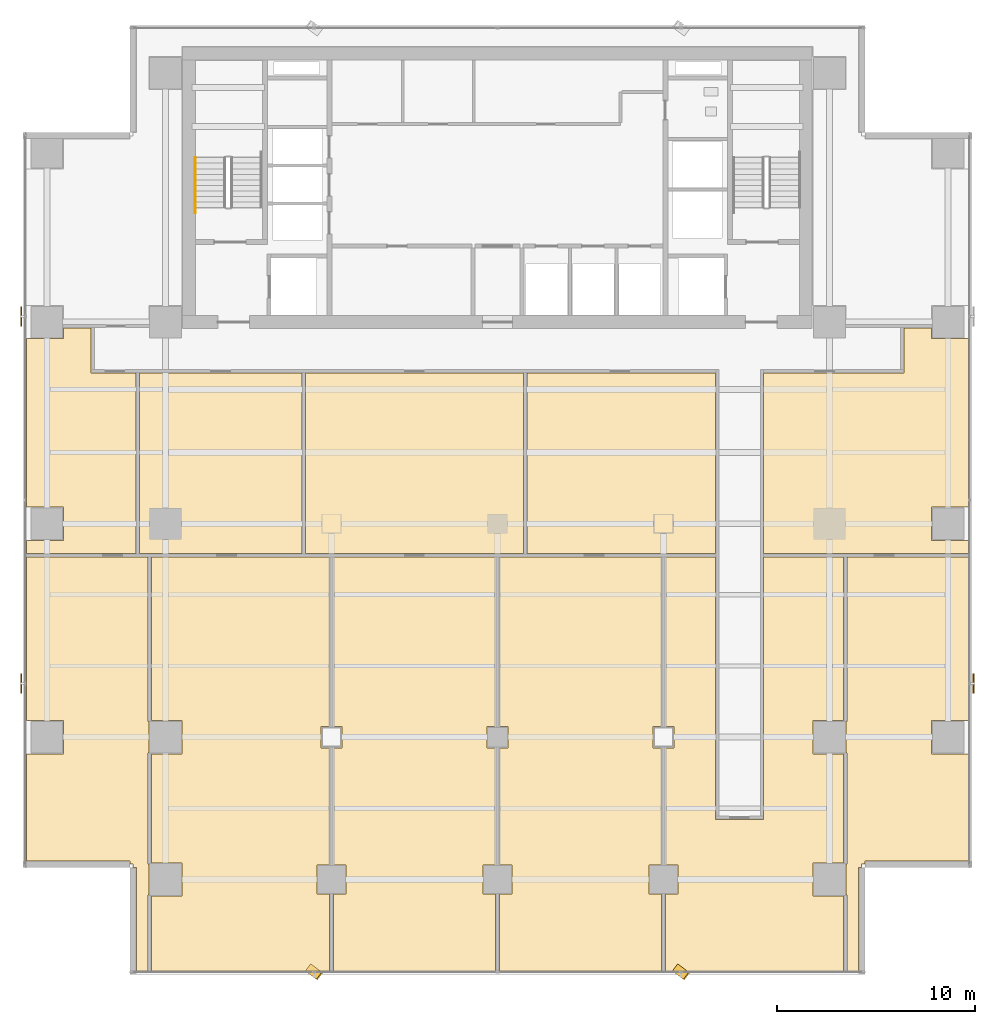
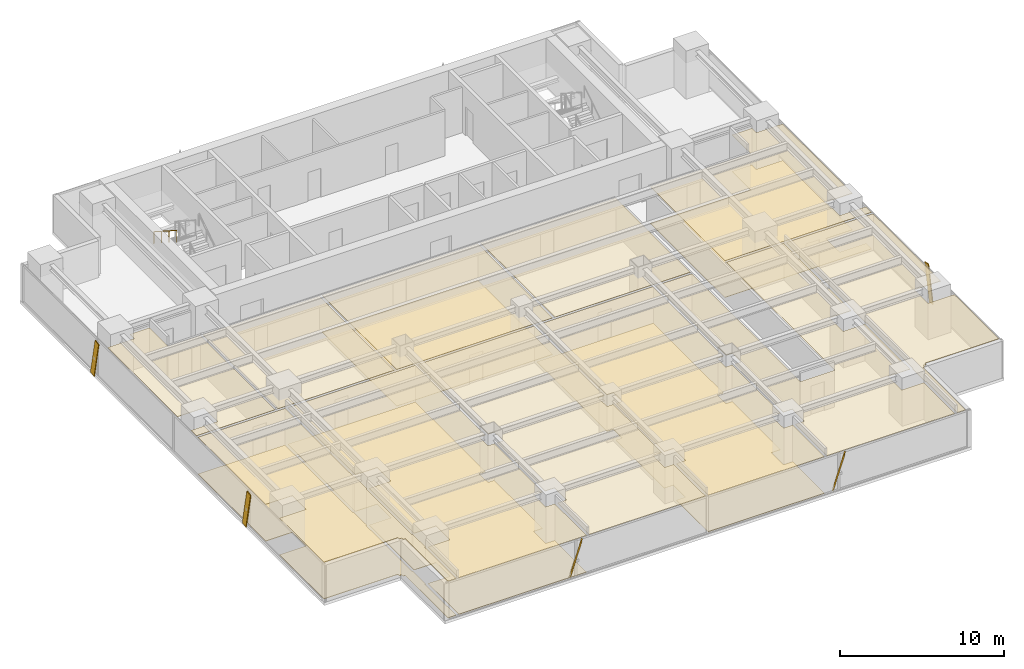
# One storey, part 24 of 28: 16 coverings, 5 shading devices, 1 railing.
"""IFC4 building model written with IfcOpenShell, lengths in metres."""

import ifcopenshell
import ifcopenshell.guid

model = None  # the IFC model being written
_history = None  # IfcOwnerHistory: only IFC2X3 demands one
_inside = {}  # id of a spatial element -> (the spatial element, [elements in it])
_under = {}  # id of a project, library or spatial element -> (it, [spatial elements below it])
_declared = {}  # id of a project -> (the project, [libraries it declares])
_typed = {}  # id of a type object -> (the type object, [elements of that type])
_made_of = {}  # id of a material, layer set ... -> (it, [elements and type objects made of it])


def new_model(schema):
    """Start an empty IFC model of exactly this schema.

    Asked for "IFC4X3", IfcOpenShell would pick the latest addendum, in which some entities
    have other attributes; the version numbers below select the first issue.
    IFC2X3 requires an IfcOwnerHistory on every rooted entity: one is made here for all.
    """
    global model, _history
    if schema == "IFC4X3":
        model = ifcopenshell.file(schema_version=(4, 3, 0, 0))
    else:
        model = ifcopenshell.file(schema=schema)
    _inside.clear()
    _under.clear()
    _declared.clear()
    _typed.clear()
    _made_of.clear()
    _history = None
    if model.schema == "IFC2X3":
        org = make("IfcOrganization", Name="unknown")
        user = make(
            "IfcPersonAndOrganization",
            ThePerson=make("IfcPerson", FamilyName="unknown"),
            TheOrganization=org,
        )
        app = make(
            "IfcApplication",
            ApplicationDeveloper=org,
            Version="unknown",
            ApplicationFullName="unknown",
            ApplicationIdentifier="unknown",
        )
        _history = make(
            "IfcOwnerHistory",
            OwningUser=user,
            OwningApplication=app,
            ChangeAction="ADDED",
            CreationDate=0,
        )
    return model


def make(cls, **values):
    """One entity of the class cls with the attributes given. An attribute that is None is left unset."""
    return model.create_entity(
        cls, **{name: value for name, value in values.items() if value is not None}
    )


def rooted(cls, **values):
    """An entity with a GlobalId (a new one), such as an element, a storey or a relation."""
    return make(cls, GlobalId=ifcopenshell.guid.new(), OwnerHistory=_history, **values)


def si_unit(unit_type, name, prefix=None):
    """IfcSIUnit, for example si_unit("LENGTHUNIT", "METRE", prefix="MILLI")."""
    return make("IfcSIUnit", UnitType=unit_type, Prefix=prefix, Name=name)


def assignment(units):
    """IfcUnitAssignment: the units of a project."""
    return None if units is None else make("IfcUnitAssignment", Units=units)


def point(xyz):
    """IfcCartesianPoint."""
    return None if xyz is None else make("IfcCartesianPoint", Coordinates=xyz)


def direction(xyz):
    """IfcDirection."""
    return None if xyz is None else make("IfcDirection", DirectionRatios=xyz)


def frame(location, z_axis=None, x_axis=None):
    """IfcAxis2Placement3D, a coordinate frame: its origin and axes. An axis left out is left unset."""
    return make(
        "IfcAxis2Placement3D",
        Location=point(location),
        Axis=direction(z_axis),
        RefDirection=direction(x_axis),
    )


def frame_2d(location, x_axis=None):
    """IfcAxis2Placement2D, a coordinate frame in the plane: its origin and x axis."""
    return make(
        "IfcAxis2Placement2D", Location=point(location), RefDirection=direction(x_axis)
    )


def origin():
    """The frame at (0, 0, 0) with its axes left unset."""
    return frame((0.0, 0.0, 0.0))


def origin_2d():
    """The frame at (0, 0) in the plane with its x axis left unset."""
    return frame_2d((0.0, 0.0))


def place(relative_to, where):
    """IfcLocalPlacement: puts the frame where relative to a parent placement (None: the world)."""
    return make(
        "IfcLocalPlacement", PlacementRelTo=relative_to, RelativePlacement=where
    )


def context(
    kind, dimensions, precision=None, world=None, true_north=None, identifier=None
):
    """IfcGeometricRepresentationContext, for example the 3D "Model" context."""
    return make(
        "IfcGeometricRepresentationContext",
        ContextIdentifier=identifier,
        ContextType=kind,
        CoordinateSpaceDimension=dimensions,
        Precision=precision,
        WorldCoordinateSystem=world,
        TrueNorth=true_north,
    )


def subcontext(parent, identifier, kind, view, scale=None):
    """IfcGeometricRepresentationSubContext, for example "Body" below "Model"."""
    return make(
        "IfcGeometricRepresentationSubContext",
        ContextIdentifier=identifier,
        ContextType=kind,
        ParentContext=parent,
        TargetScale=scale,
        TargetView=view,
    )


def project(units=None, contexts=None):
    """IfcProject with its units and contexts."""
    return rooted(
        "IfcProject",
        Name="project",
        RepresentationContexts=contexts,
        UnitsInContext=assignment(units),
    )


def spatial(cls, under=None, at=None, **own):
    """A site, building, storey or space (cls), placed at a placement, below another one or the project."""
    s = rooted(cls, ObjectPlacement=at, **own)
    if under is not None:
        _under.setdefault(under.id(), (under, []))[1].append(s)
    return s


def polyline(points):
    """IfcPolyline through the points."""
    return make("IfcPolyline", Points=[point(p) for p in points])


def profile(cls, at=None, kind="AREA", **sizes):
    """A parametric profile (cls). Its sizes go by their IFC names, for example OverallWidth=200.0."""
    return make(cls, ProfileType=kind, Position=at, **sizes)


def rectangle(**sizes):
    """IfcRectangleProfileDef."""
    return profile("IfcRectangleProfileDef", **sizes)


def outline(outer, holes=None, kind="AREA"):
    """IfcArbitraryClosedProfileDef: a profile drawn as a closed curve; with holes, ...WithVoids."""
    if holes is None:
        return make("IfcArbitraryClosedProfileDef", ProfileType=kind, OuterCurve=outer)
    return make(
        "IfcArbitraryProfileDefWithVoids",
        ProfileType=kind,
        OuterCurve=outer,
        InnerCurves=holes,
    )


def extrude(swept, where, along, depth):
    """IfcExtrudedAreaSolid: the profile swept, set in the frame where, extruded along a direction by depth."""
    return make(
        "IfcExtrudedAreaSolid",
        SweptArea=swept,
        Position=where,
        ExtrudedDirection=direction(along),
        Depth=depth,
    )


def shape(context_of_items, identifier, shape_type, items):
    """IfcShapeRepresentation: the items that make up one representation, for example the "Body"."""
    return make(
        "IfcShapeRepresentation",
        ContextOfItems=context_of_items,
        RepresentationIdentifier=identifier,
        RepresentationType=shape_type,
        Items=items,
    )


def source(mapping_origin, context_of_items, identifier, shape_type, items):
    """IfcRepresentationMap: a shape defined once, which mapped items show again and again."""
    return make(
        "IfcRepresentationMap",
        MappingOrigin=mapping_origin,
        MappedRepresentation=shape(context_of_items, identifier, shape_type, items),
    )


def transform(
    local_origin,
    x_axis=None,
    y_axis=None,
    z_axis=None,
    scale=None,
    scale2=None,
    scale3=None,
    uniform=True,
):
    """IfcCartesianTransformationOperator3D, or its non-uniform kind. x_axis, y_axis, z_axis: its Axis1, 2, 3."""
    if uniform:
        return make(
            "IfcCartesianTransformationOperator3D",
            Axis1=direction(x_axis),
            Axis2=direction(y_axis),
            LocalOrigin=point(local_origin),
            Scale=scale,
            Axis3=direction(z_axis),
        )
    return make(
        "IfcCartesianTransformationOperator3DnonUniform",
        Axis1=direction(x_axis),
        Axis2=direction(y_axis),
        LocalOrigin=point(local_origin),
        Scale=scale,
        Axis3=direction(z_axis),
        Scale2=scale2,
        Scale3=scale3,
    )


def mapped(mapping_source, mapping_target):
    """IfcMappedItem: shows the shape of a source again, moved by a transform."""
    return make(
        "IfcMappedItem", MappingSource=mapping_source, MappingTarget=mapping_target
    )


def material(Name=None, Category=None):
    """IfcMaterial."""
    return make("IfcMaterial", Name=Name, Category=Category)


def layer(
    of_material, thickness, ventilated=None, Name=None, Category=None, Priority=None
):
    """IfcMaterialLayer: one layer of a wall or slab, of a material (None: an air gap)."""
    return make(
        "IfcMaterialLayer",
        Material=of_material,
        LayerThickness=thickness,
        IsVentilated=ventilated,
        Name=Name,
        Category=Category,
        Priority=Priority,
    )


def layer_set(layers, Name=None):
    """IfcMaterialLayerSet."""
    return make("IfcMaterialLayerSet", MaterialLayers=layers, LayerSetName=Name)


def material_profile(
    of_material, cross_section, Name=None, Category=None, Priority=None
):
    """IfcMaterialProfile: a cross section and its material."""
    return make(
        "IfcMaterialProfile",
        Name=Name,
        Material=of_material,
        Profile=cross_section,
        Priority=Priority,
        Category=Category,
    )


def profile_set(profiles, Name=None, composite=None):
    """IfcMaterialProfileSet."""
    return make(
        "IfcMaterialProfileSet",
        Name=Name,
        MaterialProfiles=profiles,
        CompositeProfile=composite,
    )


def made_of(thing, what):
    """Note that an element or type object is made of a material, layer set ...; save() writes the relation."""
    if what is not None:
        _made_of.setdefault(what.id(), (what, []))[1].append(thing)
    return thing


def type_object(cls, material=None, **own):
    """A type object (cls), such as IfcWallType, which elements share."""
    return made_of(rooted(cls, **own), material)


def element(
    cls,
    number,
    at=None,
    inside=None,
    cuts=None,
    type_object=None,
    material=None,
    context=None,
    identifier="Body",
    shape_type=None,
    held_by="IfcProductDefinitionShape",
    body=None,
    shapes=None,
    **own,
):
    """One element of the class cls, such as IfcWall. Its Tag is "e" and its number.

    at: its placement. inside: the storey or other place that contains it. cuts: it is an
    opening in that element (IfcRelVoidsElement). A single representation is given by context,
    identifier, shape_type and body (its items); several are given by shapes. held_by: the class
    of the entity that holds the representations. save() writes the other relations.
    """
    e = rooted(cls, Tag="e%d" % number, ObjectPlacement=at, **own)
    if body is not None:
        shapes = [shape(context, identifier, shape_type, body)]
    if shapes is not None:
        e.Representation = make(held_by, Representations=shapes)
    if inside is not None:
        _inside.setdefault(inside.id(), (inside, []))[1].append(e)
    if cuts is not None:
        rooted(
            "IfcRelVoidsElement", RelatingBuildingElement=cuts, RelatedOpeningElement=e
        )
    if type_object is not None:
        _typed.setdefault(type_object.id(), (type_object, []))[1].append(e)
    return made_of(e, material)


def aggregate(whole, parts):
    """IfcRelAggregates: a whole, such as a stair, and the parts it consists of."""
    return rooted("IfcRelAggregates", RelatingObject=whole, RelatedObjects=parts)


def save(model, path):
    """Write the relations noted so far, then the file.

    IfcRelAggregates (storeys below a building ...), IfcRelContainedInSpatialStructure (elements
    in a storey), IfcRelDefinesByType, IfcRelAssociatesMaterial and IfcRelDeclares: one each for
    every whole, place, type object, material and project.
    """
    for whole, parts in _under.values():
        aggregate(whole, parts)
    for where, things in _inside.values():
        rooted(
            "IfcRelContainedInSpatialStructure",
            RelatedElements=things,
            RelatingStructure=where,
        )
    for kind, things in _typed.values():
        rooted("IfcRelDefinesByType", RelatedObjects=things, RelatingType=kind)
    for what, things in _made_of.values():
        rooted("IfcRelAssociatesMaterial", RelatedObjects=things, RelatingMaterial=what)
    for by, libraries in _declared.values():
        rooted("IfcRelDeclares", RelatingContext=by, RelatedDefinitions=libraries)
    model.write(path)


model = new_model("IFC4")

# Units and contexts
model_context = context("Model", 3, precision=1e-05, world=origin(), true_north=direction((0.0, 1.0)))
body_context = subcontext(model_context, "Body", "Model", "MODEL_VIEW")
ifc_project = project(units=[si_unit("LENGTHUNIT", "METRE"), si_unit("AREAUNIT", "SQUARE_METRE"), si_unit("VOLUMEUNIT", "CUBIC_METRE"), si_unit("PLANEANGLEUNIT", "RADIAN"), si_unit("MASSUNIT", "GRAM", prefix="KILO")], contexts=[model_context])

# Site, building, storey
site_placement = place(None, origin())
site = spatial("IfcSite", under=ifc_project, at=site_placement, CompositionType="ELEMENT")
building_placement = place(site_placement, origin())
building = spatial("IfcBuilding", under=site, at=building_placement, Name="Sumidabori Civic Tower", CompositionType="ELEMENT")
storey_placement = place(building_placement, frame((0.0, 0.0, 153.199951171875)))
storey = spatial("IfcBuildingStorey", under=building, at=storey_placement, Name="L39", CompositionType="ELEMENT", Elevation=153.199951171875)

# Coverings
ifc_material_1 = material(Name="Acoustic Mineral Gypsum Ceiling Tile")
ifc_layer_1 = layer(ifc_material_1, 0.034912109375, Name="Acoustic Mineral Gypsum Ceiling Tile")
ifc_layer_set_1 = layer_set([ifc_layer_1], Name="Acoustic Mineral Gypsum Ceiling Tile")
covering_type_1 = type_object("IfcCoveringType", Name="CV-CEIL-AC1", PredefinedType="CEILING", material=ifc_layer_set_1)
covering_1_placement = place(storey_placement, frame((0.0, 0.0, 2.72998046875)))
element("IfcCovering", 1, at=covering_1_placement, inside=storey, type_object=covering_type_1, Name="Room Acoustic Ceiling L39-02", PredefinedType="CEILING", context=body_context, shape_type="SweptSolid", body=[
    extrude(outline(polyline([(-21.9599609375, 9.360107421875), (-21.9599609375, 9.905029296875), (-20.570068359375, 9.905029296875), (-20.570068359375, 7.6298828125), (-18.294921875, 7.6298828125), (-18.294921875, -1.5048828125), (-23.830078125, -1.5048828125), (-23.830078125, -0.840087890625), (-21.9599609375, -0.840087890625), (-21.9599609375, 0.840087890625), (-23.830078125, 0.840087890625), (-23.830078125, 9.360107421875), (-21.9599609375, 9.360107421875)])), origin(), (0.0, 0.0, 1.0), 0.03515625),
])
covering_2_placement = place(storey_placement, frame((0.0, 0.0, 2.72998046875)))
element("IfcCovering", 2, at=covering_2_placement, inside=storey, type_object=covering_type_1, Name="Room Acoustic Ceiling L39-03", PredefinedType="CEILING", context=body_context, shape_type="SweptSolid", body=[
    extrude(outline(polyline([(13.469970703125, 7.6298828125), (20.570068359375, 7.6298828125), (20.570068359375, 9.905029296875), (21.9599609375, 9.905029296875), (21.9599609375, 9.360107421875), (23.830078125, 9.360107421875), (23.830078125, 0.840087890625), (21.9599609375, 0.840087890625), (21.9599609375, -0.840087890625), (23.830078125, -0.840087890625), (23.830078125, -1.5048828125), (13.469970703125, -1.5048828125), (13.469970703125, 7.6298828125)])), origin(), (0.0, 0.0, 1.0), 0.03515625),
])
covering_3_placement = place(storey_placement, frame((0.0, 0.0, 2.72998046875)))
element("IfcCovering", 3, at=covering_3_placement, inside=storey, type_object=covering_type_1, Name="Room Acoustic Ceiling L39-04", PredefinedType="CEILING", context=body_context, shape_type="SweptSolid", body=[
    extrude(outline(polyline([(-18.10498046875, 7.6298828125), (-9.89501953125, 7.6298828125), (-9.89501953125, -1.5048828125), (-18.10498046875, -1.5048828125), (-18.10498046875, 7.6298828125)])), origin(), (0.0, 0.0, 1.0), 0.03515625),
])
covering_4_placement = place(storey_placement, frame((0.0, 0.0, 2.72998046875)))
element("IfcCovering", 4, at=covering_4_placement, inside=storey, type_object=covering_type_1, Name="Room Acoustic Ceiling L39-05", PredefinedType="CEILING", context=body_context, shape_type="SweptSolid", body=[
    extrude(outline(polyline([(-9.705078125, 7.6298828125), (1.304931640625, 7.6298828125), (1.304931640625, -1.5048828125), (-9.705078125, -1.5048828125), (-9.705078125, 7.6298828125)])), origin(), (0.0, 0.0, 1.0), 0.03515625),
])
covering_5_placement = place(storey_placement, frame((0.0, 0.0, 2.72998046875)))
element("IfcCovering", 5, at=covering_5_placement, inside=storey, type_object=covering_type_1, Name="Room Acoustic Ceiling L39-06", PredefinedType="CEILING", context=body_context, shape_type="SweptSolid", body=[
    extrude(outline(polyline([(1.4951171875, 7.6298828125), (11.030029296875, 7.6298828125), (11.030029296875, -1.5048828125), (1.4951171875, -1.5048828125), (1.4951171875, 7.6298828125)])), origin(), (0.0, 0.0, 1.0), 0.03515625),
])
covering_6_placement = place(storey_placement, frame((0.0, 0.0, 2.72998046875)))
element("IfcCovering", 6, at=covering_6_placement, inside=storey, type_object=covering_type_1, Name="Room Acoustic Ceiling L39-07", PredefinedType="CEILING", context=body_context, shape_type="SweptSolid", body=[
    extrude(outline(polyline([(-21.9599609375, -11.639892578125), (-21.9599609375, -9.9599609375), (-23.830078125, -9.9599609375), (-23.830078125, -1.695068359375), (-17.695068359375, -1.695068359375), (-17.695068359375, -10.010009765625), (-17.639892578125, -10.010009765625), (-17.639892578125, -11.590087890625), (-17.695068359375, -11.590087890625), (-17.695068359375, -17.2099609375), (-17.639892578125, -17.2099609375), (-17.639892578125, -18.7900390625), (-17.695068359375, -18.7900390625), (-17.695068359375, -22.6298828125), (-18.27197265625, -22.6298828125), (-18.27197265625, -17.39208984375), (-18.429931640625, -17.39208984375), (-18.429931640625, -17.22998046875), (-18.592041015625, -17.22998046875), (-18.592041015625, -17.072021484375), (-23.830078125, -17.072021484375), (-23.830078125, -11.639892578125), (-21.9599609375, -11.639892578125)])), origin(), (0.0, 0.0, 1.0), 0.03515625),
])
covering_7_placement = place(storey_placement, frame((0.0, 0.0, 2.72998046875)))
element("IfcCovering", 7, at=covering_7_placement, inside=storey, type_object=covering_type_1, Name="Room Acoustic Ceiling L39-08", PredefinedType="CEILING", context=body_context, shape_type="SweptSolid", body=[
    extrude(outline(polyline([(17.695068359375, -18.7900390625), (17.639892578125, -18.7900390625), (17.639892578125, -17.2099609375), (17.695068359375, -17.2099609375), (17.695068359375, -11.590087890625), (17.639892578125, -11.590087890625), (17.639892578125, -10.010009765625), (17.695068359375, -10.010009765625), (17.695068359375, -1.695068359375), (23.830078125, -1.695068359375), (23.830078125, -9.9599609375), (21.9599609375, -9.9599609375), (21.9599609375, -11.639892578125), (23.830078125, -11.639892578125), (23.830078125, -17.072021484375), (18.592041015625, -17.072021484375), (18.592041015625, -17.22998046875), (18.429931640625, -17.22998046875), (18.429931640625, -17.39208984375), (18.27197265625, -17.39208984375), (18.27197265625, -22.6298828125), (17.695068359375, -22.6298828125), (17.695068359375, -18.7900390625)])), origin(), (0.0, 0.0, 1.0), 0.03515625),
])
covering_8_placement = place(storey_placement, frame((0.0, 0.0, 2.72998046875)))
element("IfcCovering", 8, at=covering_8_placement, inside=storey, type_object=covering_type_1, Name="Room Acoustic Ceiling L39-09", PredefinedType="CEILING", context=body_context, shape_type="SweptSolid", body=[
    extrude(outline(polyline([(-17.5048828125, -18.840087890625), (-15.9599609375, -18.840087890625), (-15.9599609375, -17.159912109375), (-17.5048828125, -17.159912109375), (-17.5048828125, -11.639892578125), (-15.9599609375, -11.639892578125), (-15.9599609375, -9.9599609375), (-17.5048828125, -9.9599609375), (-17.5048828125, -1.695068359375), (-8.4951171875, -1.695068359375), (-8.4951171875, -10.260009765625), (-8.93994140625, -10.260009765625), (-8.93994140625, -11.340087890625), (-8.4951171875, -11.340087890625), (-8.4951171875, -17.260009765625), (-9.139892578125, -17.260009765625), (-9.139892578125, -18.739990234375), (-8.4951171875, -18.739990234375), (-8.4951171875, -22.6298828125), (-17.5048828125, -22.6298828125), (-17.5048828125, -18.840087890625)])), origin(), (0.0, 0.0, 1.0), 0.03515625),
])
covering_9_placement = place(storey_placement, frame((0.0, 0.0, 2.72998046875)))
element("IfcCovering", 9, at=covering_9_placement, inside=storey, type_object=covering_type_1, Name="Room Acoustic Ceiling L39-10", PredefinedType="CEILING", context=body_context, shape_type="SweptSolid", body=[
    extrude(outline(polyline([(-8.304931640625, -18.739990234375), (-7.659912109375, -18.739990234375), (-7.659912109375, -17.260009765625), (-8.304931640625, -17.260009765625), (-8.304931640625, -11.340087890625), (-7.860107421875, -11.340087890625), (-7.860107421875, -10.260009765625), (-8.304931640625, -10.260009765625), (-8.304931640625, -1.695068359375), (-0.094970703125, -1.695068359375), (-0.094970703125, -10.260009765625), (-0.5400390625, -10.260009765625), (-0.5400390625, -11.340087890625), (-0.094970703125, -11.340087890625), (-0.094970703125, -17.260009765625), (-0.739990234375, -17.260009765625), (-0.739990234375, -18.739990234375), (-0.094970703125, -18.739990234375), (-0.094970703125, -22.6298828125), (-8.304931640625, -22.6298828125), (-8.304931640625, -18.739990234375)])), origin(), (0.0, 0.0, 1.0), 0.03515625),
])
covering_10_placement = place(storey_placement, frame((0.0, 0.0, 2.72998046875)))
element("IfcCovering", 10, at=covering_10_placement, inside=storey, type_object=covering_type_1, Name="Room Acoustic Ceiling L39-11", PredefinedType="CEILING", context=body_context, shape_type="SweptSolid", body=[
    extrude(outline(polyline([(0.094970703125, -18.739990234375), (0.739990234375, -18.739990234375), (0.739990234375, -17.260009765625), (0.094970703125, -17.260009765625), (0.094970703125, -11.340087890625), (0.5400390625, -11.340087890625), (0.5400390625, -10.260009765625), (0.094970703125, -10.260009765625), (0.094970703125, -1.695068359375), (8.304931640625, -1.695068359375), (8.304931640625, -10.260009765625), (7.860107421875, -10.260009765625), (7.860107421875, -11.340087890625), (8.304931640625, -11.340087890625), (8.304931640625, -17.260009765625), (7.659912109375, -17.260009765625), (7.659912109375, -18.739990234375), (8.304931640625, -18.739990234375), (8.304931640625, -22.6298828125), (0.094970703125, -22.6298828125), (0.094970703125, -18.739990234375)])), origin(), (0.0, 0.0, 1.0), 0.03515625),
])
covering_11_placement = place(storey_placement, frame((0.0, 0.0, 2.72998046875)))
element("IfcCovering", 11, at=covering_11_placement, inside=storey, type_object=covering_type_1, Name="Room Acoustic Ceiling L39-12", PredefinedType="CEILING", context=body_context, shape_type="SweptSolid", body=[
    extrude(outline(polyline([(8.4951171875, -18.739990234375), (9.139892578125, -18.739990234375), (9.139892578125, -17.260009765625), (8.4951171875, -17.260009765625), (8.4951171875, -11.340087890625), (8.93994140625, -11.340087890625), (8.93994140625, -10.260009765625), (8.4951171875, -10.260009765625), (8.4951171875, -1.695068359375), (11.030029296875, -1.695068359375), (11.030029296875, -14.969970703125), (13.469970703125, -14.969970703125), (13.469970703125, -1.695068359375), (17.5048828125, -1.695068359375), (17.5048828125, -9.9599609375), (15.9599609375, -9.9599609375), (15.9599609375, -11.639892578125), (17.5048828125, -11.639892578125), (17.5048828125, -17.159912109375), (15.9599609375, -17.159912109375), (15.9599609375, -18.840087890625), (17.5048828125, -18.840087890625), (17.5048828125, -22.6298828125), (8.4951171875, -22.6298828125), (8.4951171875, -18.739990234375)])), origin(), (0.0, 0.0, 1.0), 0.03515625),
])
ifc_material_2 = material(Name="Honed Terrazzo Tile Flooring")
ifc_layer_2 = layer(ifc_material_2, 0.030029296875, Name="Honed Terrazzo Tile Flooring")
ifc_layer_set_2 = layer_set([ifc_layer_2], Name="Honed Terrazzo Tile Flooring")
covering_type_2 = type_object("IfcCoveringType", Name="CV-FLR-TER", PredefinedType="FLOORING", material=ifc_layer_set_2)
covering_12_placement = place(storey_placement, origin())
element("IfcCovering", 12, at=covering_12_placement, inside=storey, type_object=covering_type_2, Name="Room Terrazzo Floor L39-03", PredefinedType="FLOORING", context=body_context, shape_type="SweptSolid", body=[
    extrude(outline(polyline([(13.469970703125, 7.6298828125), (20.570068359375, 7.6298828125), (20.570068359375, 9.905029296875), (21.9599609375, 9.905029296875), (21.9599609375, 9.360107421875), (23.830078125, 9.360107421875), (23.830078125, 0.840087890625), (21.9599609375, 0.840087890625), (21.9599609375, -0.840087890625), (23.830078125, -0.840087890625), (23.830078125, -1.5048828125), (13.469970703125, -1.5048828125), (13.469970703125, 7.6298828125)])), origin(), (0.0, 0.0, 1.0), 0.030029296875),
])
covering_13_placement = place(storey_placement, origin())
element("IfcCovering", 13, at=covering_13_placement, inside=storey, type_object=covering_type_2, Name="Room Terrazzo Floor L39-05", PredefinedType="FLOORING", context=body_context, shape_type="SweptSolid", body=[
    extrude(outline(polyline([(-9.705078125, 7.6298828125), (1.304931640625, 7.6298828125), (1.304931640625, -1.5048828125), (-9.705078125, -1.5048828125), (-9.705078125, 7.6298828125)])), origin(), (0.0, 0.0, 1.0), 0.030029296875),
])
covering_14_placement = place(storey_placement, origin())
element("IfcCovering", 14, at=covering_14_placement, inside=storey, type_object=covering_type_2, Name="Room Terrazzo Floor L39-07", PredefinedType="FLOORING", context=body_context, shape_type="SweptSolid", body=[
    extrude(outline(polyline([(-21.9599609375, -11.639892578125), (-21.9599609375, -9.9599609375), (-23.830078125, -9.9599609375), (-23.830078125, -1.695068359375), (-17.695068359375, -1.695068359375), (-17.695068359375, -10.010009765625), (-17.639892578125, -10.010009765625), (-17.639892578125, -11.590087890625), (-17.695068359375, -11.590087890625), (-17.695068359375, -17.2099609375), (-17.639892578125, -17.2099609375), (-17.639892578125, -18.7900390625), (-17.695068359375, -18.7900390625), (-17.695068359375, -22.6298828125), (-18.27197265625, -22.6298828125), (-18.27197265625, -17.39208984375), (-18.429931640625, -17.39208984375), (-18.429931640625, -17.22998046875), (-18.592041015625, -17.22998046875), (-18.592041015625, -17.072021484375), (-23.830078125, -17.072021484375), (-23.830078125, -11.639892578125), (-21.9599609375, -11.639892578125)])), origin(), (0.0, 0.0, 1.0), 0.030029296875),
])
covering_15_placement = place(storey_placement, origin())
element("IfcCovering", 15, at=covering_15_placement, inside=storey, type_object=covering_type_2, Name="Room Terrazzo Floor L39-09", PredefinedType="FLOORING", context=body_context, shape_type="SweptSolid", body=[
    extrude(outline(polyline([(-17.5048828125, -18.840087890625), (-15.9599609375, -18.840087890625), (-15.9599609375, -17.159912109375), (-17.5048828125, -17.159912109375), (-17.5048828125, -11.639892578125), (-15.9599609375, -11.639892578125), (-15.9599609375, -9.9599609375), (-17.5048828125, -9.9599609375), (-17.5048828125, -1.695068359375), (-8.4951171875, -1.695068359375), (-8.4951171875, -10.260009765625), (-8.93994140625, -10.260009765625), (-8.93994140625, -11.340087890625), (-8.4951171875, -11.340087890625), (-8.4951171875, -17.260009765625), (-9.139892578125, -17.260009765625), (-9.139892578125, -18.739990234375), (-8.4951171875, -18.739990234375), (-8.4951171875, -22.6298828125), (-17.5048828125, -22.6298828125), (-17.5048828125, -18.840087890625)])), origin(), (0.0, 0.0, 1.0), 0.030029296875),
])
covering_16_placement = place(storey_placement, origin())
element("IfcCovering", 16, at=covering_16_placement, inside=storey, type_object=covering_type_2, Name="Room Terrazzo Floor L39-11", PredefinedType="FLOORING", context=body_context, shape_type="SweptSolid", body=[
    extrude(outline(polyline([(0.094970703125, -18.739990234375), (0.739990234375, -18.739990234375), (0.739990234375, -17.260009765625), (0.094970703125, -17.260009765625), (0.094970703125, -11.340087890625), (0.5400390625, -11.340087890625), (0.5400390625, -10.260009765625), (0.094970703125, -10.260009765625), (0.094970703125, -1.695068359375), (8.304931640625, -1.695068359375), (8.304931640625, -10.260009765625), (7.860107421875, -10.260009765625), (7.860107421875, -11.340087890625), (8.304931640625, -11.340087890625), (8.304931640625, -17.260009765625), (7.659912109375, -17.260009765625), (7.659912109375, -18.739990234375), (8.304931640625, -18.739990234375), (8.304931640625, -22.6298828125), (0.094970703125, -22.6298828125), (0.094970703125, -18.739990234375)])), origin(), (0.0, 0.0, 1.0), 0.030029296875),
])

# Railing
ifc_material_3 = material(Name="Stainless Steel Hairline Finish", Category="steel")
railing_type = type_object("IfcRailingType", Name="RL-HANDRAIL", PredefinedType="HANDRAIL", material=ifc_material_3)
railing_placement = place(storey_placement, frame((-15.2900390625, 18.52001953125, 1.97998046875)))
element("IfcRailing", 17, at=railing_placement, inside=storey, type_object=railing_type, Name="L39 ST-1 stair handrail 2", PredefinedType="HANDRAIL", context=body_context, shape_type="SweptSolid", body=[
    extrude(rectangle(XDim=0.048095703125, YDim=0.048095703125, at=origin_2d()), frame((0.0, 0.0, 0.8759765625), z_axis=(0.0, -0.84064222762, 0.54159084662), x_axis=(1.0, 0.0, 0.0)), (0.0, 0.0, 1.0), 3.330810546875),
    extrude(rectangle(XDim=0.0419921875, YDim=0.0419921875, at=origin_2d()), origin(), (0.0, 0.0, 1.0), 0.851806640625),
    extrude(rectangle(XDim=0.0419921875, YDim=0.0419921875, at=origin_2d()), frame((0.0, -0.933349609375, 0.601318359375)), (0.0, 0.0, 1.0), 0.851806640625),
    extrude(rectangle(XDim=0.0419921875, YDim=0.0419921875, at=origin_2d()), frame((0.0, -1.86669921875, 1.20263671875)), (0.0, 0.0, 1.0), 0.851806640625),
    extrude(rectangle(XDim=0.0419921875, YDim=0.0419921875, at=origin_2d()), frame((0.0, -2.800048828125, 1.803955078125)), (0.0, 0.0, 1.0), 0.851806640625),
])

# Shading devices
ifc_material_4 = material(Name="Anodised Bronze Aluminium AW-6063-T6", Category="aluminium")
ifc_material_profile = material_profile(ifc_material_4, rectangle(XDim=0.06005859375, YDim=0.449951171875, at=origin_2d()), Name="BRONZE FIN 450x60")
ifc_profile_set = profile_set([ifc_material_profile], Name="Anodised Bronze Aluminium AW-6063-T6")
shading_device_type = type_object("IfcShadingDeviceType", Name="SH-FIN-450", PredefinedType="USERDEFINED", material=ifc_profile_set)
shared_shape_1 = source(origin(), body_context, "Body", "SweptSolid", [
    extrude(rectangle(XDim=0.06005859375, YDim=0.449951171875, at=origin_2d()), origin(), (0.0, 0.0, 1.0), 2.789306640625),
])
for number, where, z_axis, x_axis, name in (
    (18, (-9.56494140625, -22.469970703125, 0.02001953125), (0.200794136335, -0.150551837182, 0.967995794998), (0.774477654896, -0.580689436103, -0.250966413819), "Bronze Anodised Diagonal Fin L39-01"),
    (19, (9.0048828125, -22.469970703125, 0.02001953125), (0.200794136335, -0.150551837182, 0.967995794998), (0.774477654896, -0.580689436103, -0.250966413819), "Bronze Anodised Diagonal Fin L39-03"),
):
    element("IfcShadingDevice", number, at=place(storey_placement, frame(where, z_axis=z_axis, x_axis=x_axis)), inside=storey, type_object=shading_device_type, Name=name, ObjectType="FIN", PredefinedType="USERDEFINED", context=body_context, shape_type="MappedRepresentation", body=[
        mapped(shared_shape_1, transform((0.0, 0.0, 0.0), x_axis=(1.0, 0.0, 0.0), y_axis=(0.0, 1.0, 0.0), z_axis=(0.0, 0.0, 1.0), scale=1.0)),
    ])
shared_shape_2 = source(origin(), body_context, "Body", "SweptSolid", [
    extrude(rectangle(XDim=0.06005859375, YDim=0.449951171875, at=origin_2d()), origin(), (0.0, 0.0, 1.0), 2.75732421875),
])
for number, where, z_axis, x_axis, name in (
    (20, (24.090087890625, -8.364990234375, 0.02001953125), (0.0, 0.203109150817, 0.979156102393), (-1.0, 0.0, 0.0), "Bronze Anodised Diagonal Fin L39-01"),
    (21, (-24.090087890625, 10.764892578125, 0.02001953125), (0.0, -0.20302426177, 0.979173707333), (-1.0, 0.0, 0.0), "Bronze Anodised Diagonal Fin L39-01"),
    (22, (-24.090087890625, -7.804931640625, 0.02001953125), (0.0, -0.203109150817, 0.979156102393), (-1.0, 0.0, 0.0), "Bronze Anodised Diagonal Fin L39-03"),
):
    element("IfcShadingDevice", number, at=place(storey_placement, frame(where, z_axis=z_axis, x_axis=x_axis)), inside=storey, type_object=shading_device_type, Name=name, ObjectType="FIN", PredefinedType="USERDEFINED", context=body_context, shape_type="MappedRepresentation", body=[
        mapped(shared_shape_2, transform((0.0, 0.0, 0.0), x_axis=(1.0, 0.0, 0.0), y_axis=(0.0, 1.0, 0.0), z_axis=(0.0, 0.0, 1.0), scale=1.0)),
    ])

save(model, "model.ifc")
